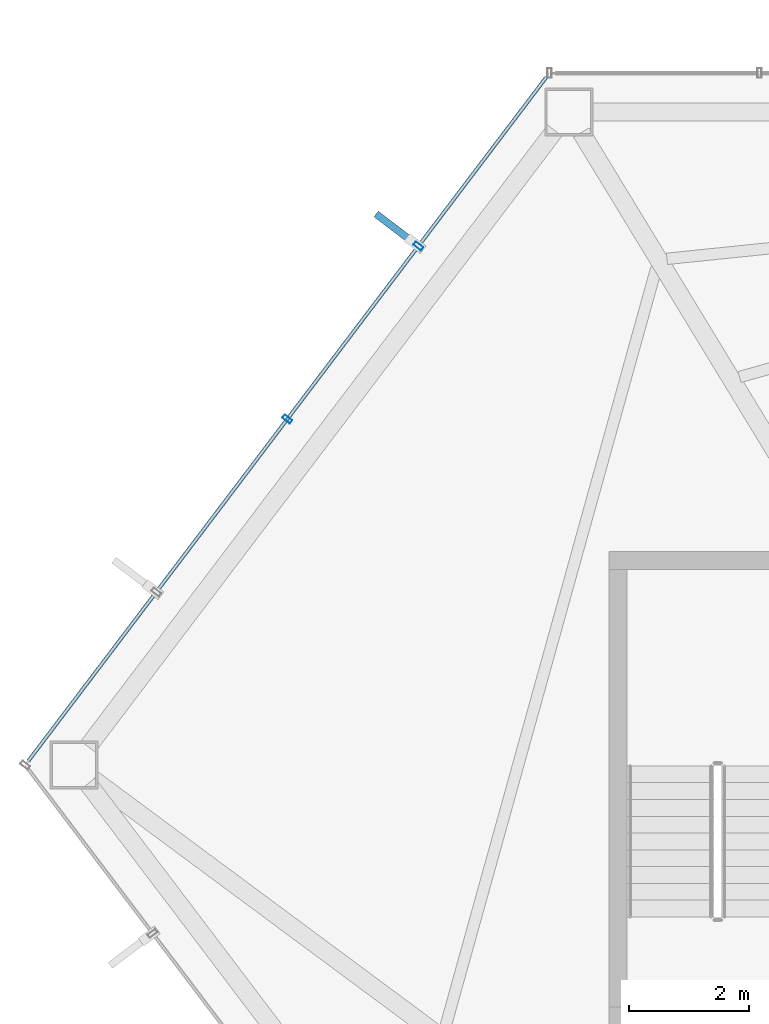
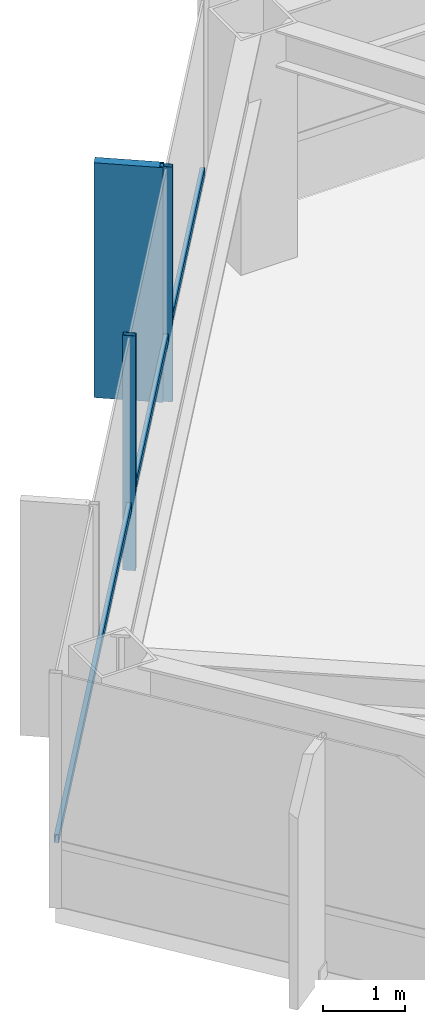
# One storey, part 12 of 28: 4 members, 1 element without a shape of its own.
"""IFC4 building model written with IfcOpenShell, lengths in metres."""

from ifc_helpers import new_model, si_unit, direction, frame, origin, origin_2d, place, context, subcontext, project, spatial, rectangle, hollow_rectangle, extrude, material, layer, layer_set, material_profile, profile_set, type_object, element, aggregate, save


model = new_model("IFC4")

# Units and contexts
model_context = context("Model", 3, precision=1e-05, world=origin(), true_north=direction((0.0, 1.0)))
body_context = subcontext(model_context, "Body", "Model", "MODEL_VIEW")
ifc_project = project(units=[si_unit("LENGTHUNIT", "METRE"), si_unit("AREAUNIT", "SQUARE_METRE"), si_unit("VOLUMEUNIT", "CUBIC_METRE"), si_unit("PLANEANGLEUNIT", "RADIAN"), si_unit("MASSUNIT", "GRAM", prefix="KILO")], contexts=[model_context])

# Site, building, storey
site_placement = place(None, origin())
site = spatial("IfcSite", under=ifc_project, at=site_placement, CompositionType="ELEMENT")
building_placement = place(site_placement, origin())
building = spatial("IfcBuilding", under=site, at=building_placement, Name="Zarrinselat Tower", CompositionType="ELEMENT")
storey_placement = place(building_placement, frame((0.0, 0.0, 145.860107421875)))
storey = spatial("IfcBuildingStorey", under=building, at=storey_placement, Name="L35", CompositionType="ELEMENT", Elevation=145.860107421875)

# Curtain wall, members
ifc_material_1 = material(Name="Extruded Aluminium Alloy EN AW-6063 T6", Category="aluminium")
ifc_layer = layer(ifc_material_1, 0.175048828125)
ifc_layer_set = layer_set([ifc_layer], Name="Extruded Aluminium Alloy EN AW-6063 T6")
curtain_wall_type = type_object("IfcCurtainWallType", Name="CWS-HTL", PredefinedType="NOTDEFINED", material=ifc_layer_set)
curtain_wall_placement = place(storey_placement, origin())
curtain_wall = element("IfcCurtainWall", 1, at=curtain_wall_placement, inside=storey, type_object=curtain_wall_type, Name="L35 Unitised Curtain Wall CW-L35-E02", PredefinedType="NOTDEFINED")
ifc_material_2 = material(Name="Extruded Aluminium Alloy EN AW-6063 T6", Category="aluminium")
ifc_material_profile_1 = material_profile(ifc_material_2, hollow_rectangle(XDim=0.070068359375, YDim=0.159912109375, WallThickness=0.00390625, at=origin_2d()), Name="RHS 160x70x4")
ifc_profile_set_1 = profile_set([ifc_material_profile_1], Name="Extruded Aluminium Alloy EN AW-6063 T6")
member_type_1 = type_object("IfcMemberType", Name="MEM-CW-MUL2", PredefinedType="MULLION", material=ifc_profile_set_1)
member_1_placement = place(storey_placement, frame((21.894287109375, 46.145751953125, 0.0), z_axis=(0.0, 0.0, 1.0), x_axis=(-0.603857687995, -0.797092148154, 0.0)))
member_1 = element("IfcMember", 2, at=member_1_placement, type_object=member_type_1, Name="CW-L35-E02 Mullion 1", PredefinedType="MULLION", context=body_context, shape_type="SweptSolid", body=[
    extrude(hollow_rectangle(XDim=0.070068359375, YDim=0.159912109375, WallThickness=0.00390625, at=origin_2d()), origin(), (0.0, 0.0, 1.0), 3.5),
])
member_2_placement = place(storey_placement, frame((19.706787109375, 43.25830078125, 0.0), z_axis=(0.0, 0.0, 1.0), x_axis=(-0.603857687995, -0.797092148154, 0.0)))
member_2 = element("IfcMember", 3, at=member_2_placement, type_object=member_type_1, Name="CW-L35-E02 Mullion 2", PredefinedType="MULLION", context=body_context, shape_type="SweptSolid", body=[
    extrude(hollow_rectangle(XDim=0.070068359375, YDim=0.159912109375, WallThickness=0.00390625, at=origin_2d()), origin(), (0.0, 0.0, 1.0), 3.5),
])
ifc_material_3 = material(Name="Extruded Aluminium Alloy EN AW-6063 T6", Category="aluminium")
ifc_material_profile_2 = material_profile(ifc_material_3, hollow_rectangle(XDim=0.06005859375, YDim=0.1201171875, WallThickness=0.00390625, at=origin_2d()), Name="RHS 120x60x4")
ifc_profile_set_2 = profile_set([ifc_material_profile_2], Name="Extruded Aluminium Alloy EN AW-6063 T6")
member_type_2 = type_object("IfcMemberType", Name="MEM-CW-TRN2", PredefinedType="USERDEFINED", material=ifc_profile_set_2)
member_3_placement = place(storey_placement, frame((24.027587890625, 48.961669921875, 0.949951171875), z_axis=(-0.603863600331, -0.797087669077, 0.0), x_axis=(0.797087669077, -0.603863600331, 0.0)))
member_3 = element("IfcMember", 4, at=member_3_placement, type_object=member_type_2, Name="CW-L35-E02 Transom 1", ObjectType="TRANSOM", PredefinedType="USERDEFINED", context=body_context, shape_type="SweptSolid", body=[
    extrude(hollow_rectangle(XDim=0.06005859375, YDim=0.1201171875, WallThickness=0.00390625, at=origin_2d()), origin(), (0.0, 0.0, 1.0), 14.310546875),
])
ifc_material_4 = material(Name="Honed Cream Travertine Stone", Category="masonry")
ifc_material_profile_3 = material_profile(ifc_material_4, rectangle(XDim=0.1201171875, YDim=0.85009765625, at=origin_2d()), Name="FIN 850x120")
ifc_profile_set_3 = profile_set([ifc_material_profile_3], Name="Honed Cream Travertine Stone")
member_type_3 = type_object("IfcMemberType", Name="MEM-STONE-FIN", PredefinedType="USERDEFINED", material=ifc_profile_set_3)
member_4_placement = place(storey_placement, frame((21.527587890625, 46.423583984375, 0.0), z_axis=(0.0, 0.0, 1.0), x_axis=(0.603857687995, 0.797092148154, 0.0)))
member_4 = element("IfcMember", 5, at=member_4_placement, type_object=member_type_3, Name="L35 Stone Shading Fin CW-L35-E02-01", ObjectType="FIN", PredefinedType="USERDEFINED", context=body_context, shape_type="SweptSolid", body=[
    extrude(rectangle(XDim=0.1201171875, YDim=0.85009765625, at=origin_2d()), origin(), (0.0, 0.0, 1.0), 3.5),
])
aggregate(curtain_wall, [member_1, member_4, member_2, member_3])

save(model, "model.ifc")
